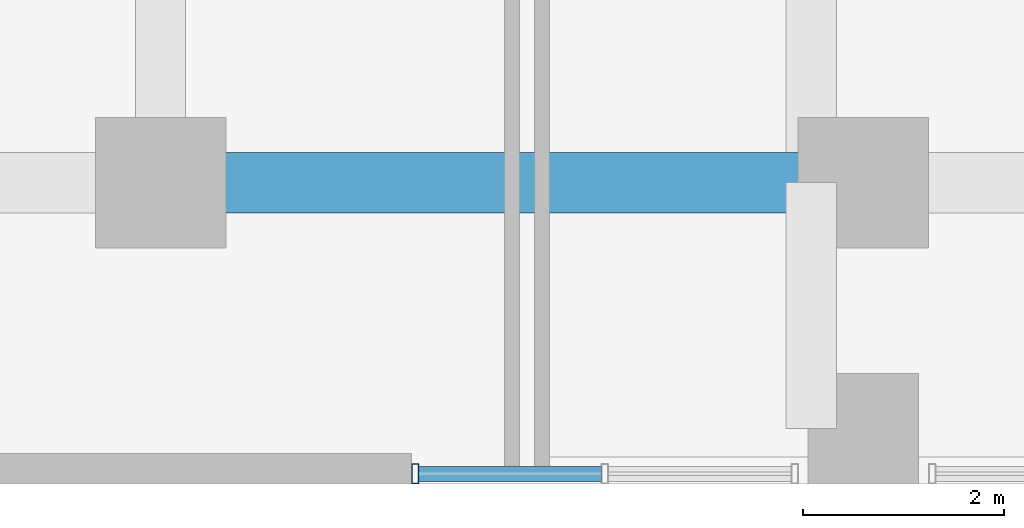
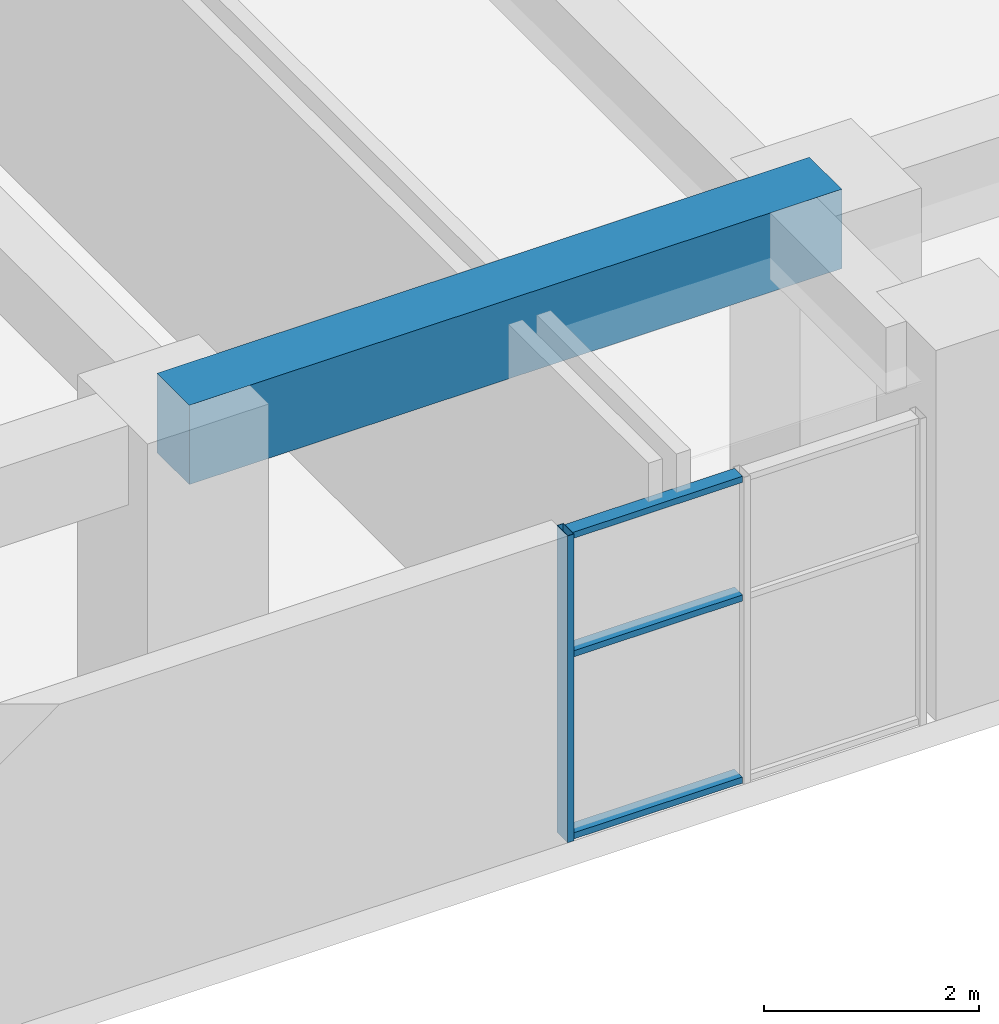
# One storey, part 2 of 24: 4 members, 1 beam, 1 element without a shape of its own.
"""IFC4 building model written with IfcOpenShell, lengths in metres."""

from ifc_helpers import new_model, si_unit, direction, frame, origin, origin_2d, place, context, subcontext, project, spatial, rectangle, hollow_rectangle, extrude, source, transform, mapped, material, layer, layer_set, material_profile, profile_set, type_object, element, aggregate, save


model = new_model("IFC4")

# Units and contexts
model_context = context("Model", 3, precision=1e-05, world=origin(), true_north=direction((0.0, 1.0)))
body_context = subcontext(model_context, "Body", "Model", "MODEL_VIEW")
ifc_project = project(units=[si_unit("LENGTHUNIT", "METRE"), si_unit("AREAUNIT", "SQUARE_METRE"), si_unit("VOLUMEUNIT", "CUBIC_METRE"), si_unit("PLANEANGLEUNIT", "RADIAN"), si_unit("MASSUNIT", "GRAM", prefix="KILO")], contexts=[model_context])

# Site, building, storey
site_placement = place(None, origin())
site = spatial("IfcSite", under=ifc_project, at=site_placement, CompositionType="ELEMENT")
building_placement = place(site_placement, origin())
building = spatial("IfcBuilding", under=site, at=building_placement, Name="Saelheon Loggia Tower", CompositionType="ELEMENT")
storey_placement = place(building_placement, origin())
storey = spatial("IfcBuildingStorey", under=building, at=storey_placement, Name="L00", CompositionType="ELEMENT", Elevation=0.0)

# Beam
ifc_material_1 = material(Name="Concrete C50/60", Category="concrete")
ifc_material_profile_1 = material_profile(ifc_material_1, rectangle(XDim=0.60009765625, YDim=0.89990234375, at=origin_2d()), Name="RC-600x900")
ifc_profile_set_1 = profile_set([ifc_material_profile_1], Name="Concrete C50/60")
beam_type = type_object("IfcBeamType", Name="Beam_MainGirder_RC600x900", PredefinedType="BEAM", material=ifc_profile_set_1)
shared_shape_1 = source(origin(), body_context, "Body", "SweptSolid", [
    extrude(rectangle(XDim=0.60009765625, YDim=0.89990234375, at=origin_2d()), origin(), (0.0, 0.0, 1.0), 7.0),
])
beam_placement = place(storey_placement, frame((24.5, 3.0, 3.75), z_axis=(1.0, 0.0, 0.0), x_axis=(0.0, 1.0, 0.0)))
element("IfcBeam", 1, at=beam_placement, inside=storey, type_object=beam_type, Name="BM-L00-EW-3-3", PredefinedType="BEAM", context=body_context, shape_type="MappedRepresentation", body=[
    mapped(shared_shape_1, transform((0.0, 0.0, 0.0), scale=1.0)),
])

# Curtain wall, members
ifc_material_2 = material(Name="Aluminium 6063-T6 and Laminated Low-E Glass", Category="aluminium")
ifc_layer = layer(ifc_material_2, 0.199951171875)
ifc_layer_set = layer_set([ifc_layer], Name="Aluminium 6063-T6 and Laminated Low-E Glass")
curtain_wall_type = type_object("IfcCurtainWallType", Name="CW_PodiumEntry", PredefinedType="NOTDEFINED", material=ifc_layer_set)
curtain_wall_placement = place(storey_placement, origin())
curtain_wall = element("IfcCurtainWall", 2, at=curtain_wall_placement, inside=storey, type_object=curtain_wall_type, Name="L00 Outpatient Main Entry Curtain Wall 1", PredefinedType="NOTDEFINED")
ifc_material_3 = material(Name="Anodised Aluminium 6063-T6", Category="aluminium")
ifc_material_profile_2 = material_profile(ifc_material_3, hollow_rectangle(XDim=0.070068359375, YDim=0.199951171875, WallThickness=0.0048828125, at=origin_2d()), Name="RHS-200x70x5")
ifc_profile_set_2 = profile_set([ifc_material_profile_2], Name="Anodised Aluminium 6063-T6")
member_type_1 = type_object("IfcMemberType", Name="CW_PodiumEntry_Mullion", PredefinedType="MULLION", material=ifc_profile_set_2)
shared_shape_2 = source(origin(), body_context, "Body", "SweptSolid", [
    extrude(hollow_rectangle(XDim=0.070068359375, YDim=0.199951171875, WallThickness=0.0048828125, at=origin_2d()), origin(), (0.0, 0.0, 1.0), 3.47998046875),
])
member_1_placement = place(storey_placement, frame((27.034912109375, 0.10009765625, 0.0), z_axis=(0.0, 0.0, 1.0), x_axis=(1.0, 0.0, 0.0)))
member_1 = element("IfcMember", 3, at=member_1_placement, type_object=member_type_1, Name="CW2 mullion 1", PredefinedType="MULLION", context=body_context, shape_type="MappedRepresentation", body=[
    mapped(shared_shape_2, transform((0.0, 0.0, 0.0), scale=1.0)),
])
ifc_material_profile_3 = material_profile(ifc_material_3, hollow_rectangle(XDim=0.070068359375, YDim=0.14990234375, WallThickness=0.0048828125, at=origin_2d()), Name="RHS-150x70x5")
ifc_profile_set_3 = profile_set([ifc_material_profile_3], Name="Anodised Aluminium 6063-T6")
member_type_2 = type_object("IfcMemberType", Name="CW_PodiumEntry_Transom", PredefinedType="USERDEFINED", material=ifc_profile_set_3)
shared_shape_3 = source(origin(), body_context, "Body", "SweptSolid", [
    extrude(hollow_rectangle(XDim=0.070068359375, YDim=0.14990234375, WallThickness=0.0048828125, at=origin_2d()), origin(), (0.0, 0.0, 1.0), 1.81982421875),
])
member_2_placement = place(storey_placement, frame((27.070068359375, 0.10009765625, 0.034912109375), z_axis=(1.0, 0.0, 0.0), x_axis=(0.0, 0.0, 1.0)))
member_2 = element("IfcMember", 4, at=member_2_placement, type_object=member_type_2, Name="CW2 transom 1.1", ObjectType="TRANSOM", PredefinedType="USERDEFINED", context=body_context, shape_type="MappedRepresentation", body=[
    mapped(shared_shape_3, transform((0.0, 0.0, 0.0), scale=1.0)),
])
member_3_placement = place(storey_placement, frame((27.070068359375, 0.10009765625, 2.10009765625), z_axis=(1.0, 0.0, 0.0), x_axis=(0.0, 0.0, 1.0)))
member_3 = element("IfcMember", 5, at=member_3_placement, type_object=member_type_2, Name="CW2 transom 1.2", ObjectType="TRANSOM", PredefinedType="USERDEFINED", context=body_context, shape_type="MappedRepresentation", body=[
    mapped(shared_shape_3, transform((0.0, 0.0, 0.0), scale=1.0)),
])
member_4_placement = place(storey_placement, frame((27.070068359375, 0.10009765625, 3.445068359375), z_axis=(1.0, 0.0, 0.0), x_axis=(0.0, 0.0, 1.0)))
member_4 = element("IfcMember", 6, at=member_4_placement, type_object=member_type_2, Name="CW2 transom 1.3", ObjectType="TRANSOM", PredefinedType="USERDEFINED", context=body_context, shape_type="MappedRepresentation", body=[
    mapped(shared_shape_3, transform((0.0, 0.0, 0.0), scale=1.0)),
])
aggregate(curtain_wall, [member_1, member_2, member_3, member_4])

save(model, "model.ifc")
